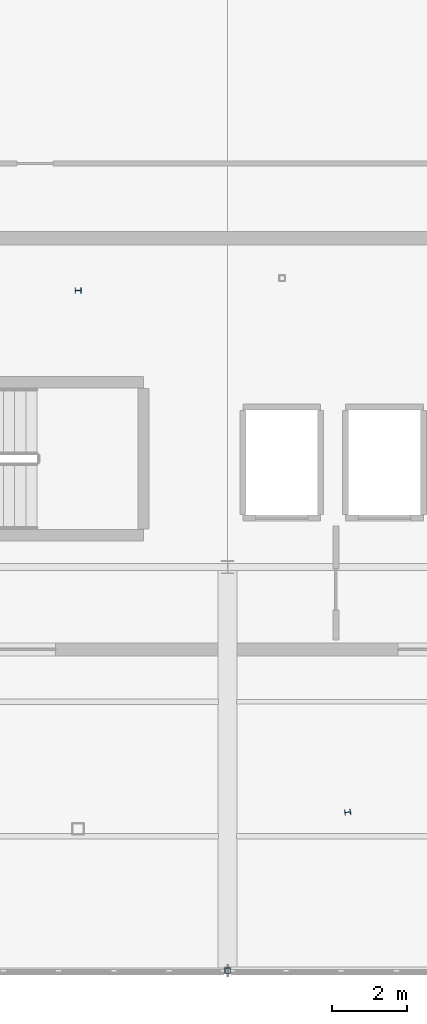
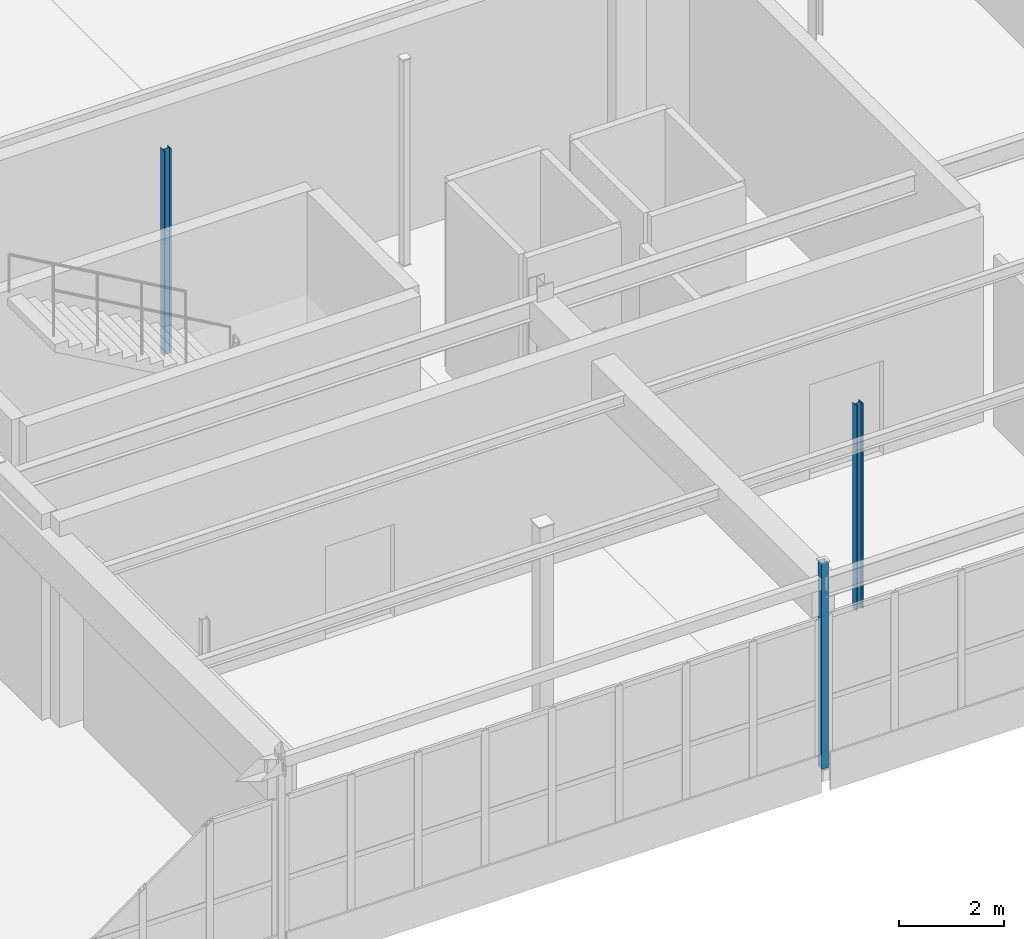
# One storey, part 9 of 226: 3 columns.
"""IFC4 building model written with IfcOpenShell, lengths in metres."""

from ifc_helpers import new_model, si_unit, direction, frame, origin, origin_2d, place, context, subcontext, project, spatial, hollow_rectangle, i_section, extrude, material, material_profile, profile_set, type_object, element, save


model = new_model("IFC4")

# Units and contexts
model_context = context("Model", 3, precision=1e-05, world=origin(), true_north=direction((0.0, 1.0)))
body_context = subcontext(model_context, "Body", "Model", "MODEL_VIEW")
ifc_project = project(units=[si_unit("LENGTHUNIT", "METRE"), si_unit("AREAUNIT", "SQUARE_METRE"), si_unit("VOLUMEUNIT", "CUBIC_METRE"), si_unit("PLANEANGLEUNIT", "RADIAN"), si_unit("MASSUNIT", "GRAM", prefix="KILO")], contexts=[model_context])

# Site, building, storey
site_placement = place(None, origin())
site = spatial("IfcSite", under=ifc_project, at=site_placement, CompositionType="ELEMENT")
building_placement = place(site_placement, origin())
building = spatial("IfcBuilding", under=site, at=building_placement, Name="Tarnwether General Hospital", CompositionType="ELEMENT")
storey_placement = place(building_placement, frame((0.0, 0.0, 4.800048828125)))
storey = spatial("IfcBuildingStorey", under=building, at=storey_placement, Name="L01", CompositionType="ELEMENT", Elevation=4.800048828125)

# Columns
ifc_material_1 = material(Name="Steel Grade 350 (350 MPa)", Category="steel")
ifc_material_profile_1 = material_profile(ifc_material_1, i_section(OverallWidth=0.153076171875, OverallDepth=0.157958984375, WebThickness=0.006591796875, FlangeThickness=0.009521484375, at=origin_2d()), Name="150UC30.0")
ifc_profile_set_1 = profile_set([ifc_material_profile_1], Name="Steel Grade 350 (350 MPa)")
column_type_1 = type_object("IfcColumnType", Name="COL-31", PredefinedType="COLUMN", material=ifc_profile_set_1)
column_1_placement = place(storey_placement, frame((92.0, 18.199951171875, 0.0), z_axis=(0.0, 0.0, 1.0), x_axis=(0.0, 1.0, 0.0)))
element("IfcColumn", 1, at=column_1_placement, inside=storey, type_object=column_type_1, Name="Column COLG-L01-9200_1820", PredefinedType="COLUMN", context=body_context, shape_type="SweptSolid", body=[
    extrude(i_section(OverallWidth=0.153076171875, OverallDepth=0.157958984375, WebThickness=0.006591796875, FlangeThickness=0.009521484375, at=origin_2d()), origin(), (0.0, 0.0, 1.0), 4.800048828125),
])
ifc_material_2 = material(Name="Steel Grade 350 (350 MPa)", Category="steel")
ifc_material_profile_2 = material_profile(ifc_material_2, i_section(OverallWidth=0.152099609375, OverallDepth=0.152099609375, WebThickness=0.006103515625, FlangeThickness=0.0068359375, at=origin_2d()), Name="150UC23.4")
ifc_profile_set_2 = profile_set([ifc_material_profile_2], Name="Steel Grade 350 (350 MPa)")
column_type_2 = type_object("IfcColumnType", Name="COL-32", PredefinedType="COLUMN", material=ifc_profile_set_2)
column_2_placement = place(storey_placement, frame((99.215087890625, 4.240966796875, 0.0), z_axis=(0.0, 0.0, 1.0), x_axis=(-0.121869343405, 0.992546151641, 0.0)))
element("IfcColumn", 2, at=column_2_placement, inside=storey, type_object=column_type_2, Name="Column COLG-L01-9922_424", PredefinedType="COLUMN", context=body_context, shape_type="SweptSolid", body=[
    extrude(i_section(OverallWidth=0.152099609375, OverallDepth=0.152099609375, WebThickness=0.006103515625, FlangeThickness=0.0068359375, at=origin_2d()), origin(), (0.0, 0.0, 1.0), 4.800048828125),
])
ifc_material_3 = material(Name="Steel Grade C350L0 (350 MPa)", Category="steel")
ifc_material_profile_3 = material_profile(ifc_material_3, hollow_rectangle(XDim=0.14990234375, YDim=0.14990234375, WallThickness=0.008056640625, at=origin_2d()), Name="SHS150x150x8")
ifc_profile_set_3 = profile_set([ifc_material_profile_3], Name="Steel Grade C350L0 (350 MPa)")
column_type_3 = type_object("IfcColumnType", Name="COL-33", PredefinedType="COLUMN", material=ifc_profile_set_3)
column_3_placement = place(storey_placement, frame((96.0, 0.0, 0.0), z_axis=(0.0, 0.0, 1.0), x_axis=(1.0, 0.0, 0.0)))
element("IfcColumn", 3, at=column_3_placement, inside=storey, type_object=column_type_3, Name="Column COLG-L01-9600_0", PredefinedType="COLUMN", context=body_context, shape_type="SweptSolid", body=[
    extrude(hollow_rectangle(XDim=0.14990234375, YDim=0.14990234375, WallThickness=0.008056640625, at=origin_2d()), origin(), (0.0, 0.0, 1.0), 4.800048828125),
])

save(model, "model.ifc")
